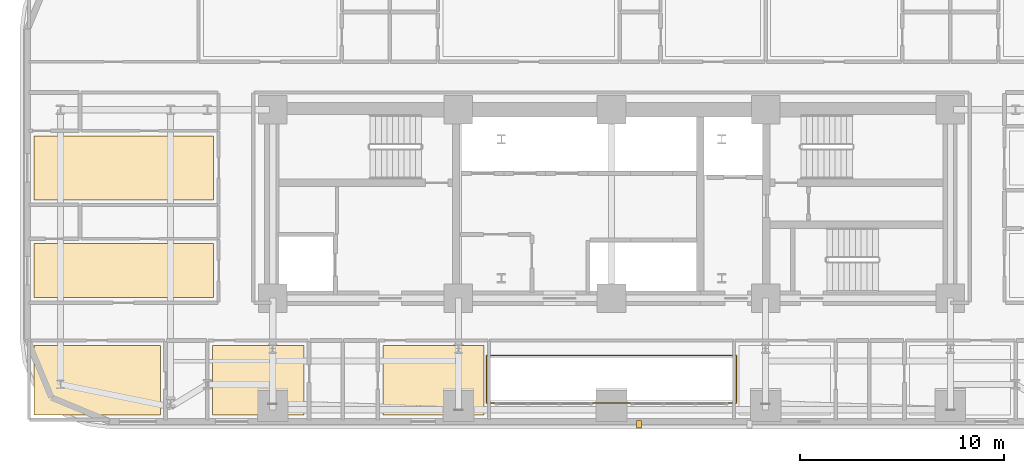
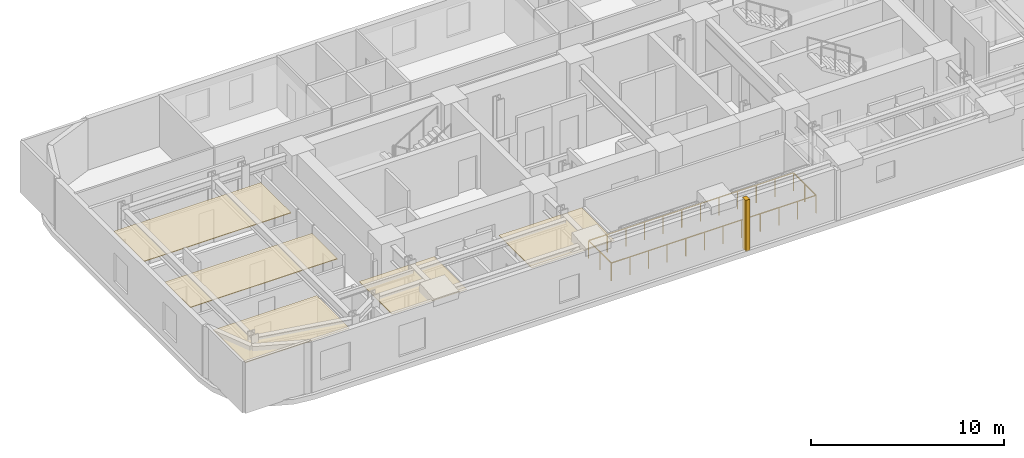
# One storey, part 13 of 16: 6 coverings, 1 railing.
"""IFC4 building model written with IfcOpenShell, lengths in metres."""

from ifc_helpers import new_model, si_unit, direction, frame, origin, origin_2d, place, context, subcontext, project, spatial, polyline, rectangle, outline, extrude, material, layer, layer_set, type_object, element, save


model = new_model("IFC4")

# Units and contexts
model_context = context("Model", 3, precision=1e-05, world=origin(), true_north=direction((0.0, 1.0)))
body_context = subcontext(model_context, "Body", "Model", "MODEL_VIEW")
ifc_project = project(units=[si_unit("LENGTHUNIT", "METRE"), si_unit("AREAUNIT", "SQUARE_METRE"), si_unit("VOLUMEUNIT", "CUBIC_METRE"), si_unit("PLANEANGLEUNIT", "RADIAN"), si_unit("MASSUNIT", "GRAM", prefix="KILO")], contexts=[model_context])

# Site, building, storey
site_placement = place(None, origin())
site = spatial("IfcSite", under=ifc_project, at=site_placement, CompositionType="ELEMENT")
building_placement = place(site_placement, origin())
building = spatial("IfcBuilding", under=site, at=building_placement, Name="Zarnavel Station Tower", CompositionType="ELEMENT")
storey_placement = place(building_placement, frame((0.0, 0.0, 39.5)))
storey = spatial("IfcBuildingStorey", under=building, at=storey_placement, Name="L10", CompositionType="ELEMENT", Elevation=39.5)

# Coverings
ifc_material_1 = material(Name="Perforated Gypsum and Mineral-Wool Acoustic Ceiling", Category="concrete")
ifc_layer = layer(ifc_material_1, 0.0400390625)
ifc_layer_set = layer_set([ifc_layer], Name="COV_CEIL_ACOUSTIC")
covering_type_1 = type_object("IfcCoveringType", Name="COV_CEIL_ACOUSTIC", PredefinedType="CEILING", material=ifc_layer_set)
covering_1_placement = place(storey_placement, frame((0.0, 0.0, 2.919921875)))
element("IfcCovering", 1, at=covering_1_placement, inside=storey, type_object=covering_type_1, Name="L10 FNW1R Acoustic Ceiling", PredefinedType="CEILING", context=body_context, shape_type="SweptSolid", body=[
    extrude(outline(polyline([(0.510009765625, 27.85009765625), (9.300048828125, 27.85009765625), (9.300048828125, 30.490966796875), (0.510009765625, 30.490966796875), (0.510009765625, 27.85009765625)])), origin(), (0.0, 0.0, 1.0), 0.0400390625),
])
covering_2_placement = place(storey_placement, frame((0.0, 0.0, 2.919921875)))
element("IfcCovering", 2, at=covering_2_placement, inside=storey, type_object=covering_type_1, Name="L10 FNW2R Acoustic Ceiling", PredefinedType="CEILING", context=body_context, shape_type="SweptSolid", body=[
    extrude(outline(polyline([(0.510009765625, 32.64111328125), (9.300048828125, 32.64111328125), (9.300048828125, 35.777099609375), (0.510009765625, 35.777099609375), (0.510009765625, 32.64111328125)])), origin(), (0.0, 0.0, 1.0), 0.0400390625),
])
covering_3_placement = place(storey_placement, frame((0.0, 0.0, 2.919921875)))
element("IfcCovering", 3, at=covering_3_placement, inside=storey, type_object=covering_type_1, Name="L10 HW1R Acoustic Ceiling", PredefinedType="CEILING", context=body_context, shape_type="SweptSolid", body=[
    extrude(outline(polyline([(0.510009765625, 22.110107421875), (6.699951171875, 22.110107421875), (6.699951171875, 25.5), (0.510009765625, 25.5), (0.510009765625, 22.110107421875)])), origin(), (0.0, 0.0, 1.0), 0.0400390625),
])
covering_4_placement = place(storey_placement, frame((0.0, 0.0, 2.919921875)))
element("IfcCovering", 4, at=covering_4_placement, inside=storey, type_object=covering_type_1, Name="L10 HW2R Acoustic Ceiling", PredefinedType="CEILING", context=body_context, shape_type="SweptSolid", body=[
    extrude(outline(polyline([(9.25, 22.110107421875), (13.72900390625, 22.110107421875), (13.72900390625, 25.5), (9.25, 25.5), (9.25, 22.110107421875)])), origin(), (0.0, 0.0, 1.0), 0.0400390625),
])
covering_5_placement = place(storey_placement, frame((0.0, 0.0, 2.919921875)))
element("IfcCovering", 5, at=covering_5_placement, inside=storey, type_object=covering_type_1, Name="L10 HW3R Acoustic Ceiling", PredefinedType="CEILING", context=body_context, shape_type="SweptSolid", body=[
    extrude(outline(polyline([(17.60009765625, 22.110107421875), (22.550048828125, 22.110107421875), (22.550048828125, 25.5), (17.60009765625, 25.5), (17.60009765625, 22.110107421875)])), origin(), (0.0, 0.0, 1.0), 0.0400390625),
])
ifc_material_2 = material(Name="Precast concrete C45/55 (Pale Travertine Slab Band)", Category="masonry")
covering_type_2 = type_object("IfcCoveringType", Name="COV_TRAVERTINE_BAND", PredefinedType="CLADDING", material=ifc_material_2)
covering_6_placement = place(storey_placement, frame((30.14990234375, 21.64990234375, 0.0), z_axis=(0.0, 0.0, 1.0), x_axis=(1.0, 0.0, 0.0)))
element("IfcCovering", 6, at=covering_6_placement, inside=storey, type_object=covering_type_2, Name="L10 Travertine Portal Loggia Vertical Jog West", PredefinedType="CLADDING", context=body_context, shape_type="SweptSolid", body=[
    extrude(rectangle(XDim=0.239990234375, YDim=0.360107421875, at=origin_2d()), origin(), (0.0, 0.0, 1.0), 3.239990234375),
])

# Railing
ifc_material_3 = material(Name="Painted Steel S355J2 Balustrade", Category="steel")
railing_type = type_object("IfcRailingType", Name="GR_INT_1150", PredefinedType="GUARDRAIL", material=ifc_material_3)
railing_placement = place(storey_placement, frame((22.679931640625, 22.679931640625, 0.0)))
element("IfcRailing", 7, at=railing_placement, inside=storey, type_object=railing_type, Name="L10 Atrium Void Guardrail", PredefinedType="GUARDRAIL", context=body_context, shape_type="SweptSolid", body=[
    extrude(rectangle(XDim=0.048095703125, YDim=0.048095703125, at=origin_2d()), frame((0.001953125, 0.0, 1.1259765625), z_axis=(1.0, 0.0, 0.0), x_axis=(0.0, 1.0, 0.0)), (0.0, 0.0, 1.0), 12.236083984375),
    extrude(rectangle(XDim=0.048095703125, YDim=0.048095703125, at=origin_2d()), frame((12.239990234375, 0.001953125, 1.1259765625), z_axis=(0.0, 1.0, 0.0), x_axis=(-1.0, 0.0, 0.0)), (0.0, 0.0, 1.0), 2.336181640625),
    extrude(rectangle(XDim=0.048095703125, YDim=0.048095703125, at=origin_2d()), frame((12.238037109375, 2.340087890625, 1.1259765625), z_axis=(-1.0, 0.0, 0.0), x_axis=(0.0, -1.0, 0.0)), (0.0, 0.0, 1.0), 12.236083984375),
    extrude(rectangle(XDim=0.048095703125, YDim=0.048095703125, at=origin_2d()), frame((0.0, 2.338134765625, 1.1259765625), z_axis=(0.0, -1.0, 0.0), x_axis=(1.0, 0.0, 0.0)), (0.0, 0.0, 1.0), 2.336181640625),
    extrude(rectangle(XDim=0.0419921875, YDim=0.0419921875, at=origin_2d()), origin(), (0.0, 0.0, 1.0), 1.101806640625),
    extrude(rectangle(XDim=0.0419921875, YDim=0.0419921875, at=origin_2d()), frame((1.11279296875, 0.0, 0.0)), (0.0, 0.0, 1.0), 1.101806640625),
    extrude(rectangle(XDim=0.0419921875, YDim=0.0419921875, at=origin_2d()), frame((2.225341796875, 0.0, 0.0)), (0.0, 0.0, 1.0), 1.101806640625),
    extrude(rectangle(XDim=0.0419921875, YDim=0.0419921875, at=origin_2d()), frame((3.338134765625, 0.0, 0.0)), (0.0, 0.0, 1.0), 1.101806640625),
    extrude(rectangle(XDim=0.0419921875, YDim=0.0419921875, at=origin_2d()), frame((4.450927734375, 0.0, 0.0)), (0.0, 0.0, 1.0), 1.101806640625),
    extrude(rectangle(XDim=0.0419921875, YDim=0.0419921875, at=origin_2d()), frame((5.563720703125, 0.0, 0.0)), (0.0, 0.0, 1.0), 1.101806640625),
    extrude(rectangle(XDim=0.0419921875, YDim=0.0419921875, at=origin_2d()), frame((6.67626953125, 0.0, 0.0)), (0.0, 0.0, 1.0), 1.101806640625),
    extrude(rectangle(XDim=0.0419921875, YDim=0.0419921875, at=origin_2d()), frame((7.7890625, 0.0, 0.0)), (0.0, 0.0, 1.0), 1.101806640625),
    extrude(rectangle(XDim=0.0419921875, YDim=0.0419921875, at=origin_2d()), frame((8.90185546875, 0.0, 0.0)), (0.0, 0.0, 1.0), 1.101806640625),
    extrude(rectangle(XDim=0.0419921875, YDim=0.0419921875, at=origin_2d()), frame((10.0146484375, 0.0, 0.0)), (0.0, 0.0, 1.0), 1.101806640625),
    extrude(rectangle(XDim=0.0419921875, YDim=0.0419921875, at=origin_2d()), frame((11.127197265625, 0.0, 0.0)), (0.0, 0.0, 1.0), 1.101806640625),
    extrude(rectangle(XDim=0.0419921875, YDim=0.0419921875, at=origin_2d()), frame((12.239990234375, 0.0, 0.0)), (0.0, 0.0, 1.0), 1.101806640625),
    extrude(rectangle(XDim=0.0419921875, YDim=0.0419921875, at=origin_2d()), frame((12.239990234375, 1.169921875, 0.0)), (0.0, 0.0, 1.0), 1.101806640625),
    extrude(rectangle(XDim=0.0419921875, YDim=0.0419921875, at=origin_2d()), frame((12.239990234375, 2.340087890625, 0.0)), (0.0, 0.0, 1.0), 1.101806640625),
    extrude(rectangle(XDim=0.0419921875, YDim=0.0419921875, at=origin_2d()), frame((11.127197265625, 2.340087890625, 0.0)), (0.0, 0.0, 1.0), 1.101806640625),
    extrude(rectangle(XDim=0.0419921875, YDim=0.0419921875, at=origin_2d()), frame((10.0146484375, 2.340087890625, 0.0)), (0.0, 0.0, 1.0), 1.101806640625),
    extrude(rectangle(XDim=0.0419921875, YDim=0.0419921875, at=origin_2d()), frame((8.90185546875, 2.340087890625, 0.0)), (0.0, 0.0, 1.0), 1.101806640625),
    extrude(rectangle(XDim=0.0419921875, YDim=0.0419921875, at=origin_2d()), frame((7.7890625, 2.340087890625, 0.0)), (0.0, 0.0, 1.0), 1.101806640625),
    extrude(rectangle(XDim=0.0419921875, YDim=0.0419921875, at=origin_2d()), frame((6.67626953125, 2.340087890625, 0.0)), (0.0, 0.0, 1.0), 1.101806640625),
    extrude(rectangle(XDim=0.0419921875, YDim=0.0419921875, at=origin_2d()), frame((5.563720703125, 2.340087890625, 0.0)), (0.0, 0.0, 1.0), 1.101806640625),
    extrude(rectangle(XDim=0.0419921875, YDim=0.0419921875, at=origin_2d()), frame((4.450927734375, 2.340087890625, 0.0)), (0.0, 0.0, 1.0), 1.101806640625),
    extrude(rectangle(XDim=0.0419921875, YDim=0.0419921875, at=origin_2d()), frame((3.338134765625, 2.340087890625, 0.0)), (0.0, 0.0, 1.0), 1.101806640625),
    extrude(rectangle(XDim=0.0419921875, YDim=0.0419921875, at=origin_2d()), frame((2.225341796875, 2.340087890625, 0.0)), (0.0, 0.0, 1.0), 1.101806640625),
    extrude(rectangle(XDim=0.0419921875, YDim=0.0419921875, at=origin_2d()), frame((1.11279296875, 2.340087890625, 0.0)), (0.0, 0.0, 1.0), 1.101806640625),
    extrude(rectangle(XDim=0.0419921875, YDim=0.0419921875, at=origin_2d()), frame((0.0, 2.340087890625, 0.0)), (0.0, 0.0, 1.0), 1.101806640625),
    extrude(rectangle(XDim=0.0419921875, YDim=0.0419921875, at=origin_2d()), frame((0.0, 1.169921875, 0.0)), (0.0, 0.0, 1.0), 1.101806640625),
])

save(model, "model.ifc")
